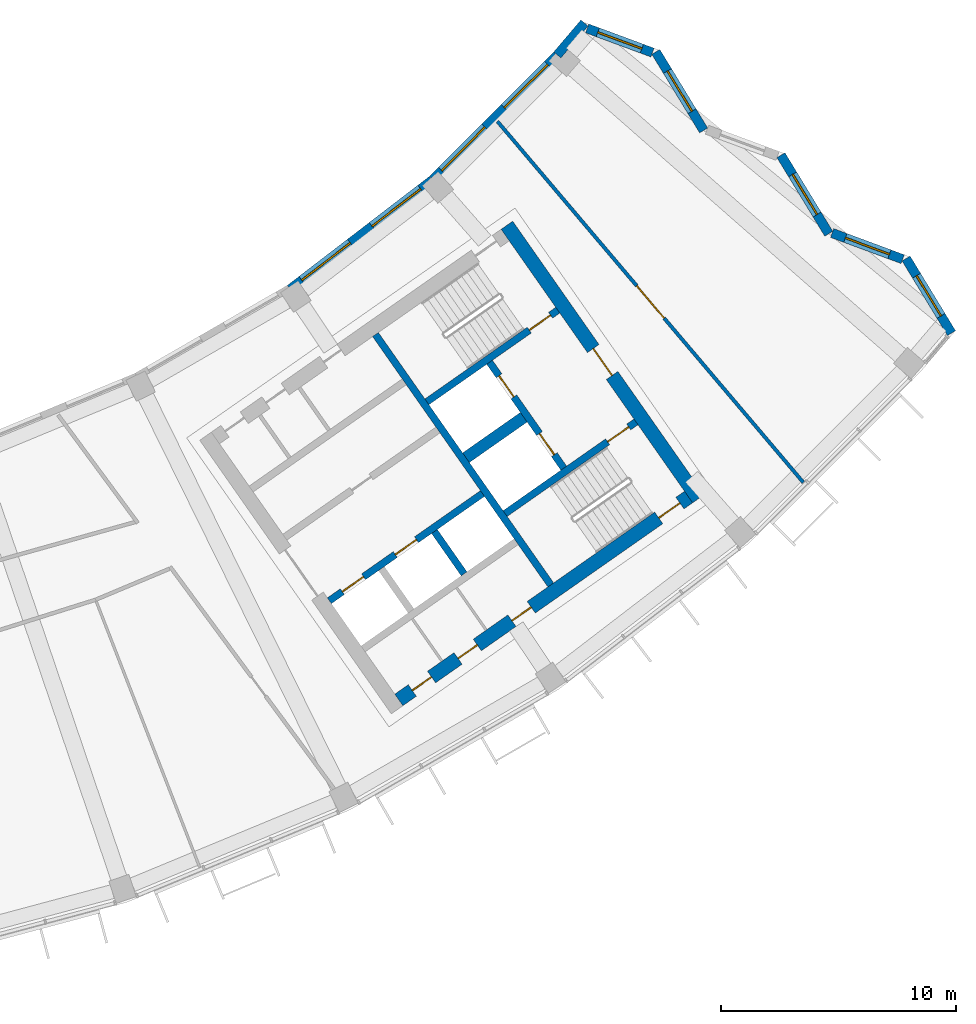
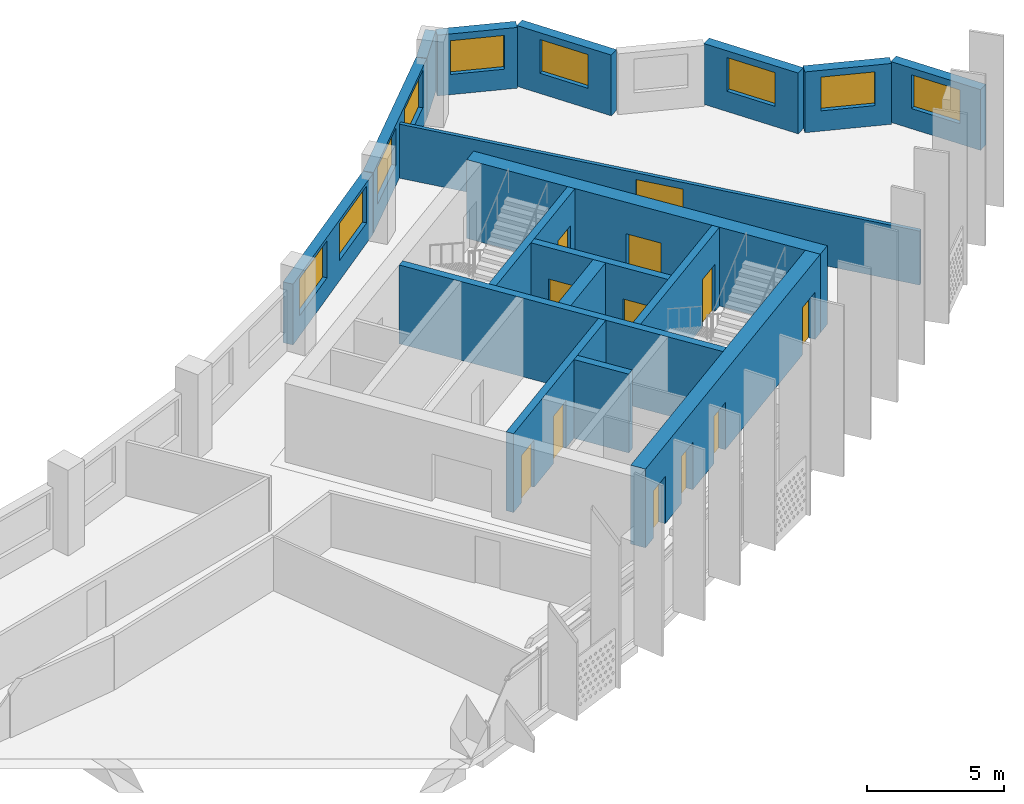
# One storey, part 7 of 28: 18 walls, 12 doors, 9 windows, 21 openings.
"""IFC4 building model written with IfcOpenShell, lengths in metres."""

import ifcopenshell
import ifcopenshell.guid

model = None  # the IFC model being written
_history = None  # IfcOwnerHistory: only IFC2X3 demands one
_inside = {}  # id of a spatial element -> (the spatial element, [elements in it])
_under = {}  # id of a project, library or spatial element -> (it, [spatial elements below it])
_declared = {}  # id of a project -> (the project, [libraries it declares])
_typed = {}  # id of a type object -> (the type object, [elements of that type])
_made_of = {}  # id of a material, layer set ... -> (it, [elements and type objects made of it])


def new_model(schema):
    """Start an empty IFC model of exactly this schema.

    Asked for "IFC4X3", IfcOpenShell would pick the latest addendum, in which some entities
    have other attributes; the version numbers below select the first issue.
    IFC2X3 requires an IfcOwnerHistory on every rooted entity: one is made here for all.
    """
    global model, _history
    if schema == "IFC4X3":
        model = ifcopenshell.file(schema_version=(4, 3, 0, 0))
    else:
        model = ifcopenshell.file(schema=schema)
    _inside.clear()
    _under.clear()
    _declared.clear()
    _typed.clear()
    _made_of.clear()
    _history = None
    if model.schema == "IFC2X3":
        org = make("IfcOrganization", Name="unknown")
        user = make(
            "IfcPersonAndOrganization",
            ThePerson=make("IfcPerson", FamilyName="unknown"),
            TheOrganization=org,
        )
        app = make(
            "IfcApplication",
            ApplicationDeveloper=org,
            Version="unknown",
            ApplicationFullName="unknown",
            ApplicationIdentifier="unknown",
        )
        _history = make(
            "IfcOwnerHistory",
            OwningUser=user,
            OwningApplication=app,
            ChangeAction="ADDED",
            CreationDate=0,
        )
    return model


def make(cls, **values):
    """One entity of the class cls with the attributes given. An attribute that is None is left unset."""
    return model.create_entity(
        cls, **{name: value for name, value in values.items() if value is not None}
    )


def rooted(cls, **values):
    """An entity with a GlobalId (a new one), such as an element, a storey or a relation."""
    return make(cls, GlobalId=ifcopenshell.guid.new(), OwnerHistory=_history, **values)


def si_unit(unit_type, name, prefix=None):
    """IfcSIUnit, for example si_unit("LENGTHUNIT", "METRE", prefix="MILLI")."""
    return make("IfcSIUnit", UnitType=unit_type, Prefix=prefix, Name=name)


def assignment(units):
    """IfcUnitAssignment: the units of a project."""
    return None if units is None else make("IfcUnitAssignment", Units=units)


def point(xyz):
    """IfcCartesianPoint."""
    return None if xyz is None else make("IfcCartesianPoint", Coordinates=xyz)


def direction(xyz):
    """IfcDirection."""
    return None if xyz is None else make("IfcDirection", DirectionRatios=xyz)


def frame(location, z_axis=None, x_axis=None):
    """IfcAxis2Placement3D, a coordinate frame: its origin and axes. An axis left out is left unset."""
    return make(
        "IfcAxis2Placement3D",
        Location=point(location),
        Axis=direction(z_axis),
        RefDirection=direction(x_axis),
    )


def frame_2d(location, x_axis=None):
    """IfcAxis2Placement2D, a coordinate frame in the plane: its origin and x axis."""
    return make(
        "IfcAxis2Placement2D", Location=point(location), RefDirection=direction(x_axis)
    )


def origin():
    """The frame at (0, 0, 0) with its axes left unset."""
    return frame((0.0, 0.0, 0.0))


def place(relative_to, where):
    """IfcLocalPlacement: puts the frame where relative to a parent placement (None: the world)."""
    return make(
        "IfcLocalPlacement", PlacementRelTo=relative_to, RelativePlacement=where
    )


def context(
    kind, dimensions, precision=None, world=None, true_north=None, identifier=None
):
    """IfcGeometricRepresentationContext, for example the 3D "Model" context."""
    return make(
        "IfcGeometricRepresentationContext",
        ContextIdentifier=identifier,
        ContextType=kind,
        CoordinateSpaceDimension=dimensions,
        Precision=precision,
        WorldCoordinateSystem=world,
        TrueNorth=true_north,
    )


def subcontext(parent, identifier, kind, view, scale=None):
    """IfcGeometricRepresentationSubContext, for example "Body" below "Model"."""
    return make(
        "IfcGeometricRepresentationSubContext",
        ContextIdentifier=identifier,
        ContextType=kind,
        ParentContext=parent,
        TargetScale=scale,
        TargetView=view,
    )


def project(units=None, contexts=None):
    """IfcProject with its units and contexts."""
    return rooted(
        "IfcProject",
        Name="project",
        RepresentationContexts=contexts,
        UnitsInContext=assignment(units),
    )


def spatial(cls, under=None, at=None, **own):
    """A site, building, storey or space (cls), placed at a placement, below another one or the project."""
    s = rooted(cls, ObjectPlacement=at, **own)
    if under is not None:
        _under.setdefault(under.id(), (under, []))[1].append(s)
    return s


def profile(cls, at=None, kind="AREA", **sizes):
    """A parametric profile (cls). Its sizes go by their IFC names, for example OverallWidth=200.0."""
    return make(cls, ProfileType=kind, Position=at, **sizes)


def rectangle(**sizes):
    """IfcRectangleProfileDef."""
    return profile("IfcRectangleProfileDef", **sizes)


def extrude(swept, where, along, depth):
    """IfcExtrudedAreaSolid: the profile swept, set in the frame where, extruded along a direction by depth."""
    return make(
        "IfcExtrudedAreaSolid",
        SweptArea=swept,
        Position=where,
        ExtrudedDirection=direction(along),
        Depth=depth,
    )


def shape(context_of_items, identifier, shape_type, items):
    """IfcShapeRepresentation: the items that make up one representation, for example the "Body"."""
    return make(
        "IfcShapeRepresentation",
        ContextOfItems=context_of_items,
        RepresentationIdentifier=identifier,
        RepresentationType=shape_type,
        Items=items,
    )


def material(Name=None, Category=None):
    """IfcMaterial."""
    return make("IfcMaterial", Name=Name, Category=Category)


def layer(
    of_material, thickness, ventilated=None, Name=None, Category=None, Priority=None
):
    """IfcMaterialLayer: one layer of a wall or slab, of a material (None: an air gap)."""
    return make(
        "IfcMaterialLayer",
        Material=of_material,
        LayerThickness=thickness,
        IsVentilated=ventilated,
        Name=Name,
        Category=Category,
        Priority=Priority,
    )


def layer_set(layers, Name=None):
    """IfcMaterialLayerSet."""
    return make("IfcMaterialLayerSet", MaterialLayers=layers, LayerSetName=Name)


def made_of(thing, what):
    """Note that an element or type object is made of a material, layer set ...; save() writes the relation."""
    if what is not None:
        _made_of.setdefault(what.id(), (what, []))[1].append(thing)
    return thing


def type_object(cls, material=None, **own):
    """A type object (cls), such as IfcWallType, which elements share."""
    return made_of(rooted(cls, **own), material)


def element(
    cls,
    number,
    at=None,
    inside=None,
    cuts=None,
    type_object=None,
    material=None,
    context=None,
    identifier="Body",
    shape_type=None,
    held_by="IfcProductDefinitionShape",
    body=None,
    shapes=None,
    **own,
):
    """One element of the class cls, such as IfcWall. Its Tag is "e" and its number.

    at: its placement. inside: the storey or other place that contains it. cuts: it is an
    opening in that element (IfcRelVoidsElement). A single representation is given by context,
    identifier, shape_type and body (its items); several are given by shapes. held_by: the class
    of the entity that holds the representations. save() writes the other relations.
    """
    e = rooted(cls, Tag="e%d" % number, ObjectPlacement=at, **own)
    if body is not None:
        shapes = [shape(context, identifier, shape_type, body)]
    if shapes is not None:
        e.Representation = make(held_by, Representations=shapes)
    if inside is not None:
        _inside.setdefault(inside.id(), (inside, []))[1].append(e)
    if cuts is not None:
        rooted(
            "IfcRelVoidsElement", RelatingBuildingElement=cuts, RelatedOpeningElement=e
        )
    if type_object is not None:
        _typed.setdefault(type_object.id(), (type_object, []))[1].append(e)
    return made_of(e, material)


def fill(opening, filler):
    """IfcRelFillsElement: the door or window that sits in an opening."""
    return rooted(
        "IfcRelFillsElement",
        RelatingOpeningElement=opening,
        RelatedBuildingElement=filler,
    )


def aggregate(whole, parts):
    """IfcRelAggregates: a whole, such as a stair, and the parts it consists of."""
    return rooted("IfcRelAggregates", RelatingObject=whole, RelatedObjects=parts)


def save(model, path):
    """Write the relations noted so far, then the file.

    IfcRelAggregates (storeys below a building ...), IfcRelContainedInSpatialStructure (elements
    in a storey), IfcRelDefinesByType, IfcRelAssociatesMaterial and IfcRelDeclares: one each for
    every whole, place, type object, material and project.
    """
    for whole, parts in _under.values():
        aggregate(whole, parts)
    for where, things in _inside.values():
        rooted(
            "IfcRelContainedInSpatialStructure",
            RelatedElements=things,
            RelatingStructure=where,
        )
    for kind, things in _typed.values():
        rooted("IfcRelDefinesByType", RelatedObjects=things, RelatingType=kind)
    for what, things in _made_of.values():
        rooted("IfcRelAssociatesMaterial", RelatedObjects=things, RelatingMaterial=what)
    for by, libraries in _declared.values():
        rooted("IfcRelDeclares", RelatingContext=by, RelatedDefinitions=libraries)
    model.write(path)


model = new_model("IFC4")

# Units and contexts
model_context = context("Model", 3, precision=1e-05, world=origin(), true_north=direction((0.0, 1.0)))
body_context = subcontext(model_context, "Body", "Model", "MODEL_VIEW")
ifc_project = project(units=[si_unit("LENGTHUNIT", "METRE"), si_unit("AREAUNIT", "SQUARE_METRE"), si_unit("VOLUMEUNIT", "CUBIC_METRE"), si_unit("PLANEANGLEUNIT", "RADIAN"), si_unit("MASSUNIT", "GRAM", prefix="KILO")], contexts=[model_context])

# Site, building, storey
site_placement = place(None, origin())
site = spatial("IfcSite", under=ifc_project, at=site_placement, CompositionType="ELEMENT")
building_placement = place(site_placement, origin())
building = spatial("IfcBuilding", under=site, at=building_placement, Name="Qamariyya Broadcast Tower", CompositionType="ELEMENT")
storey_placement = place(building_placement, frame((0.0, 0.0, 273.300048828125)))
storey = spatial("IfcBuildingStorey", under=building, at=storey_placement, Name="L66", CompositionType="ELEMENT", Elevation=273.300048828125)

# Wall, opening, door
ifc_material_1 = material(Name="Concrete C60/75", Category="concrete")
ifc_layer_1 = layer(ifc_material_1, 0.60009765625)
ifc_layer_set_1 = layer_set([ifc_layer_1], Name="Core wall 600 mm Concrete C60/75")
wall_type_1 = type_object("IfcWallType", Name="Core wall 600 mm Concrete C60/75", PredefinedType="SHEAR", material=ifc_layer_set_1)
wall_1_placement = place(storey_placement, frame((49.4833984375, -57.031494140625, 0.0), z_axis=(0.0, 0.0, 1.0), x_axis=(-0.573560421458, 0.819163257805, 0.0)))
wall_1 = element("IfcWall", 1, at=wall_1_placement, inside=storey, type_object=wall_type_1, Name="k-E-L66-WH", PredefinedType="SHEAR", context=body_context, shape_type="SweptSolid", body=[
    extrude(rectangle(XDim=14.199951171875, YDim=0.60009765625, at=frame_2d((7.10009765625, 0.0))), origin(), (0.0, 0.0, 1.0), 3.5),
])
opening_1_placement = place(wall_1_placement, frame((6.39990234375, 0.0, 0.0)))
opening_1 = element("IfcOpeningElement", 2, at=opening_1_placement, cuts=wall_1, Name="Opening KD2-E1", PredefinedType="OPENING", context=body_context, shape_type="SweptSolid", body=[
    extrude(rectangle(XDim=1.39990234375, YDim=2.10009765625, at=frame_2d((0.699951171875, 1.050048828125))), frame((0.0, 0.31005859375, 0.0), z_axis=(0.0, -1.0, 0.0), x_axis=(1.0, 0.0, 0.0)), (0.0, 0.0, 1.0), 0.6201171875),
])
ifc_material_2 = material(Name="Steel fire-resisting door leaf", Category="steel")
door_type_1 = type_object("IfcDoorType", Name="Fire-fighting lobby door KD2", OperationType="DOUBLE_DOOR_SINGLE_SWING", PredefinedType="DOOR", material=ifc_material_2)
door_1_placement = place(opening_1_placement, origin())
door_1 = element("IfcDoor", 3, at=door_1_placement, inside=storey, type_object=door_type_1, Name="k-E-L66-WH-D13", OperationType="DOUBLE_DOOR_SINGLE_SWING", OverallHeight=2.10009765625, OverallWidth=1.39990234375, PredefinedType="DOOR", context=body_context, shape_type="SweptSolid", body=[
    extrude(rectangle(XDim=1.39990234375, YDim=2.10009765625, at=frame_2d((0.699951171875, 1.050048828125))), frame((0.0, 0.02490234375, 0.0), z_axis=(0.0, -1.0, 0.0), x_axis=(1.0, 0.0, 0.0)), (0.0, 0.0, 1.0), 0.050048828125),
])
fill(opening_1, door_1)

# Wall, openings, doors
wall_2_placement = place(storey_placement, frame((36.7412109375, -65.58740234375, 0.0), z_axis=(0.0, 0.0, 1.0), x_axis=(0.819153391756, 0.573574511963, 0.0)))
wall_2 = element("IfcWall", 4, at=wall_2_placement, inside=storey, type_object=wall_type_1, Name="k-E-L66-WO", PredefinedType="SHEAR", context=body_context, shape_type="SweptSolid", body=[
    extrude(rectangle(XDim=15.04541015625, YDim=0.60009765625, at=frame_2d((7.522705078125, 0.0))), origin(), (0.0, 0.0, 1.0), 3.5),
])
opening_2_placement = place(wall_2_placement, frame((0.699951171875, 0.0, 0.0)))
opening_2 = element("IfcOpeningElement", 5, at=opening_2_placement, cuts=wall_2, Name="Opening KD6-E3", PredefinedType="OPENING", context=body_context, shape_type="SweptSolid", body=[
    extrude(rectangle(XDim=1.0, YDim=2.10009765625, at=frame_2d((0.5, 1.050048828125))), frame((0.0, 0.31005859375, 0.0), z_axis=(0.0, -1.0, 0.0), x_axis=(1.0, 0.0, 0.0)), (0.0, 0.0, 1.0), 0.6201171875),
])
opening_3_placement = place(wall_2_placement, frame((3.074951171875, 0.0, 0.0)))
opening_3 = element("IfcOpeningElement", 6, at=opening_3_placement, cuts=wall_2, Name="Opening KD4-E1", PredefinedType="OPENING", context=body_context, shape_type="SweptSolid", body=[
    extrude(rectangle(XDim=1.0, YDim=2.10009765625, at=frame_2d((0.5, 1.050048828125))), frame((0.0, 0.31005859375, 0.0), z_axis=(0.0, -1.0, 0.0), x_axis=(1.0, 0.0, 0.0)), (0.0, 0.0, 1.0), 0.6201171875),
])
opening_4_placement = place(wall_2_placement, frame((5.875, 0.0, 0.0)))
opening_4 = element("IfcOpeningElement", 7, at=opening_4_placement, cuts=wall_2, Name="Opening KD4-E2", PredefinedType="OPENING", context=body_context, shape_type="SweptSolid", body=[
    extrude(rectangle(XDim=1.0, YDim=2.10009765625, at=frame_2d((0.5, 1.050048828125))), frame((0.0, 0.31005859375, 0.0), z_axis=(0.0, -1.0, 0.0), x_axis=(1.0, 0.0, 0.0)), (0.0, 0.0, 1.0), 0.6201171875),
])
opening_5_placement = place(wall_2_placement, frame((13.495361328125, 0.0, 0.0)))
opening_5 = element("IfcOpeningElement", 8, at=opening_5_placement, cuts=wall_2, Name="Opening KD1-E3", PredefinedType="OPENING", context=body_context, shape_type="SweptSolid", body=[
    extrude(rectangle(XDim=1.10009765625, YDim=2.10009765625, at=frame_2d((0.550048828125, 1.050048828125))), frame((0.0, 0.31005859375, 0.0), z_axis=(0.0, -1.0, 0.0), x_axis=(1.0, 0.0, 0.0)), (0.0, 0.0, 1.0), 0.6201171875),
])
door_type_2 = type_object("IfcDoorType", Name="Core room door KD6", OperationType="SINGLE_SWING_LEFT", PredefinedType="DOOR", material=ifc_material_2)
door_2_placement = place(opening_2_placement, origin())
door_2 = element("IfcDoor", 9, at=door_2_placement, inside=storey, type_object=door_type_2, Name="k-E-L66-WO-D8", OperationType="SINGLE_SWING_RIGHT", OverallHeight=2.10009765625, OverallWidth=1.0, PredefinedType="DOOR", context=body_context, shape_type="SweptSolid", body=[
    extrude(rectangle(XDim=1.0, YDim=2.10009765625, at=frame_2d((0.5, 1.050048828125))), frame((0.0, 0.02490234375, 0.0), z_axis=(0.0, -1.0, 0.0), x_axis=(1.0, 0.0, 0.0)), (0.0, 0.0, 1.0), 0.050048828125),
])
fill(opening_2, door_2)
door_type_3 = type_object("IfcDoorType", Name="Riser and plant door KD4", OperationType="SINGLE_SWING_LEFT", PredefinedType="DOOR", material=ifc_material_2)
door_3_placement = place(opening_3_placement, origin())
door_3 = element("IfcDoor", 10, at=door_3_placement, inside=storey, type_object=door_type_3, Name="k-E-L66-WO-D9", OperationType="SINGLE_SWING_LEFT", OverallHeight=2.10009765625, OverallWidth=1.0, PredefinedType="DOOR", context=body_context, shape_type="SweptSolid", body=[
    extrude(rectangle(XDim=1.0, YDim=2.10009765625, at=frame_2d((0.5, 1.050048828125))), frame((0.0, 0.02490234375, 0.0), z_axis=(0.0, -1.0, 0.0), x_axis=(1.0, 0.0, 0.0)), (0.0, 0.0, 1.0), 0.050048828125),
])
fill(opening_3, door_3)
door_4_placement = place(opening_4_placement, origin())
door_4 = element("IfcDoor", 11, at=door_4_placement, inside=storey, type_object=door_type_3, Name="k-E-L66-WO-D10", OperationType="SINGLE_SWING_RIGHT", OverallHeight=2.10009765625, OverallWidth=1.0, PredefinedType="DOOR", context=body_context, shape_type="SweptSolid", body=[
    extrude(rectangle(XDim=1.0, YDim=2.10009765625, at=frame_2d((0.5, 1.050048828125))), frame((0.0, 0.02490234375, 0.0), z_axis=(0.0, -1.0, 0.0), x_axis=(1.0, 0.0, 0.0)), (0.0, 0.0, 1.0), 0.050048828125),
])
fill(opening_4, door_4)
door_type_4 = type_object("IfcDoorType", Name="Stair door KD1", OperationType="SINGLE_SWING_LEFT", PredefinedType="DOOR", material=ifc_material_2)
door_5_placement = place(opening_5_placement, origin())
door_5 = element("IfcDoor", 12, at=door_5_placement, inside=storey, type_object=door_type_4, Name="k-E-L66-WO-D16", OperationType="SINGLE_SWING_LEFT", OverallHeight=2.10009765625, OverallWidth=1.10009765625, PredefinedType="DOOR", context=body_context, shape_type="SweptSolid", body=[
    extrude(rectangle(XDim=1.10009765625, YDim=2.10009765625, at=frame_2d((0.550048828125, 1.050048828125))), frame((0.0, 0.02490234375, 0.0), z_axis=(0.0, -1.0, 0.0), x_axis=(1.0, 0.0, 0.0)), (0.0, 0.0, 1.0), 0.050048828125),
])
fill(opening_5, door_5)

# Wall, opening, door
ifc_material_3 = material(Name="Gypsum board partition")
ifc_layer_2 = layer(ifc_material_3, 0.14990234375)
ifc_layer_set_2 = layer_set([ifc_layer_2], Name="Corridor partition 150 EI 60")
wall_type_2 = type_object("IfcWallType", Name="Corridor partition 150 EI 60", PredefinedType="PARTITIONING", material=ifc_layer_set_2)
wall_3_placement = place(storey_placement, frame((40.93603515625, -40.982666015625, 0.0), z_axis=(0.0, 0.0, 1.0), x_axis=(0.646426079671, -0.76297662056, 0.0)))
wall_3 = element("IfcWall", 13, at=wall_3_placement, inside=storey, type_object=wall_type_2, Name="Partition L66-029", PredefinedType="PARTITIONING", context=body_context, shape_type="SweptSolid", body=[
    extrude(rectangle(XDim=20.1259765625, YDim=0.14990234375, at=frame_2d((10.06298828125, 0.0))), origin(), (0.0, 0.0, 1.0), 2.39990234375),
])
opening_6_placement = place(wall_3_placement, frame((9.1630859375, 0.0, 0.0)))
opening_6 = element("IfcOpeningElement", 14, at=opening_6_placement, cuts=wall_3, Name="Opening L66-D14", PredefinedType="OPENING", context=body_context, shape_type="SweptSolid", body=[
    extrude(rectangle(XDim=1.800048828125, YDim=2.10009765625, at=frame_2d((0.89990234375, 1.050048828125))), frame((0.0, 0.0849609375, 0.0), z_axis=(0.0, -1.0, 0.0), x_axis=(1.0, 0.0, 0.0)), (0.0, 0.0, 1.0), 0.169921875),
])
ifc_material_4 = material(Name="Timber fire door leaf", Category="wood")
door_type_5 = type_object("IfcDoorType", Name="Double fire door 1800 x 2100 FD60", OperationType="NOTDEFINED", PredefinedType="DOOR", material=ifc_material_4)
door_6_placement = place(opening_6_placement, origin())
door_6 = element("IfcDoor", 15, at=door_6_placement, inside=storey, type_object=door_type_5, Name="Door L66-D14", OperationType="DOUBLE_DOOR_SINGLE_SWING", OverallHeight=2.10009765625, OverallWidth=1.800048828125, PredefinedType="DOOR", context=body_context, shape_type="SweptSolid", body=[
    extrude(rectangle(XDim=1.800048828125, YDim=2.10009765625, at=frame_2d((0.89990234375, 1.050048828125))), frame((0.0, 0.02490234375, 0.0), z_axis=(0.0, -1.0, 0.0), x_axis=(1.0, 0.0, 0.0)), (0.0, 0.0, 1.0), 0.050048828125),
])
fill(opening_6, door_6)

# Walls
ifc_layer_3 = layer(ifc_material_1, 0.5)
ifc_layer_set_3 = layer_set([ifc_layer_3], Name="Fire-fighting lobby divider wall 500 mm Concrete C60/75")
wall_type_3 = type_object("IfcWallType", Name="Fire-fighting lobby divider wall 500 mm Concrete C60/75", PredefinedType="SOLIDWALL", material=ifc_layer_set_3)
wall_4_placement = place(storey_placement, frame((39.59912109375, -55.28515625, 0.0), z_axis=(0.0, 0.0, 1.0), x_axis=(0.819136323161, 0.573598887793, 0.0)))
element("IfcWall", 16, at=wall_4_placement, inside=storey, type_object=wall_type_3, Name="k-E-L66-FD", PredefinedType="SOLIDWALL", context=body_context, shape_type="SweptSolid", body=[
    extrude(rectangle(XDim=2.999755859375, YDim=0.5, at=frame_2d((1.5, 0.0))), origin(), (0.0, 0.0, 1.0), 3.5),
])
ifc_layer_4 = layer(ifc_material_1, 0.300048828125)
ifc_layer_set_4 = layer_set([ifc_layer_4], Name="Lift shaft wall 300 mm Concrete C60/75")
wall_type_4 = type_object("IfcWallType", Name="Lift shaft wall 300 mm Concrete C60/75", PredefinedType="SOLIDWALL", material=ifc_layer_set_4)
wall_5_placement = place(storey_placement, frame((43.204345703125, -60.69580078125, 0.0), z_axis=(0.0, 0.0, 1.0), x_axis=(-0.573571992966, 0.819155155563, 0.0)))
element("IfcWall", 17, at=wall_5_placement, inside=storey, type_object=wall_type_4, Name="k-E-L66-WL", PredefinedType="SOLIDWALL", context=body_context, shape_type="SweptSolid", body=[
    extrude(rectangle(XDim=13.000244140625, YDim=0.300048828125, at=frame_2d((6.5, 0.0))), origin(), (0.0, 0.0, 1.0), 3.5),
])

# Wall, openings, doors
wall_6_placement = place(storey_placement, frame((33.787353515625, -61.368896484375, 0.0), z_axis=(0.0, 0.0, 1.0), x_axis=(0.819152564888, 0.573575692858, 0.0)))
wall_6 = element("IfcWall", 18, at=wall_6_placement, inside=storey, type_object=wall_type_4, Name="k-E-L66-SF0", PredefinedType="SOLIDWALL", context=body_context, shape_type="SweptSolid", body=[
    extrude(rectangle(XDim=7.9501953125, YDim=0.300048828125, at=frame_2d((3.97509765625, 0.0))), origin(), (0.0, 0.0, 1.0), 3.5),
])
opening_7_placement = place(wall_6_placement, frame((0.675048828125, 0.0, 0.0)))
opening_7 = element("IfcOpeningElement", 19, at=opening_7_placement, cuts=wall_6, Name="Opening LD", PredefinedType="OPENING", context=body_context, shape_type="SweptSolid", body=[
    extrude(rectangle(XDim=1.10009765625, YDim=2.10009765625, at=frame_2d((0.550048828125, 1.050048828125))), frame((0.0, 0.159912109375, 0.0), z_axis=(0.0, -1.0, 0.0), x_axis=(1.0, 0.0, 0.0)), (0.0, 0.0, 1.0), 0.320068359375),
])
opening_8_placement = place(wall_6_placement, frame((3.425048828125, 0.0, 0.0)))
opening_8 = element("IfcOpeningElement", 20, at=opening_8_placement, cuts=wall_6, Name="Opening LD", PredefinedType="OPENING", context=body_context, shape_type="SweptSolid", body=[
    extrude(rectangle(XDim=1.10009765625, YDim=2.10009765625, at=frame_2d((0.550048828125, 1.050048828125))), frame((0.0, 0.159912109375, 0.0), z_axis=(0.0, -1.0, 0.0), x_axis=(1.0, 0.0, 0.0)), (0.0, 0.0, 1.0), 0.320068359375),
])
door_type_6 = type_object("IfcDoorType", Name="Lift landing door LD", OperationType="DOUBLE_DOOR_SLIDING", PredefinedType="DOOR", material=ifc_material_2)
door_7_placement = place(opening_7_placement, origin())
door_7 = element("IfcDoor", 21, at=door_7_placement, inside=storey, type_object=door_type_6, Name="k-E-L66-SF0-D3", OperationType="DOUBLE_DOOR_SLIDING", OverallHeight=2.10009765625, OverallWidth=1.10009765625, PredefinedType="DOOR", context=body_context, shape_type="SweptSolid", body=[
    extrude(rectangle(XDim=1.10009765625, YDim=2.10009765625, at=frame_2d((0.550048828125, 1.050048828125))), frame((0.0, 0.02490234375, 0.0), z_axis=(0.0, -1.0, 0.0), x_axis=(1.0, 0.0, 0.0)), (0.0, 0.0, 1.0), 0.050048828125),
])
fill(opening_7, door_7)
door_8_placement = place(opening_8_placement, origin())
door_8 = element("IfcDoor", 22, at=door_8_placement, inside=storey, type_object=door_type_6, Name="k-E-L66-SF0-D4", OperationType="DOUBLE_DOOR_SLIDING", OverallHeight=2.10009765625, OverallWidth=1.10009765625, PredefinedType="DOOR", context=body_context, shape_type="SweptSolid", body=[
    extrude(rectangle(XDim=1.10009765625, YDim=2.10009765625, at=frame_2d((0.550048828125, 1.050048828125))), frame((0.0, 0.02490234375, 0.0), z_axis=(0.0, -1.0, 0.0), x_axis=(1.0, 0.0, 0.0)), (0.0, 0.0, 1.0), 0.050048828125),
])
fill(opening_8, door_8)

# Wall
wall_7_placement = place(storey_placement, frame((38.255859375, -58.423095703125, 0.0), z_axis=(0.0, 0.0, 1.0), x_axis=(0.573633636671, -0.819111989218, 0.0)))
element("IfcWall", 23, at=wall_7_placement, inside=storey, type_object=wall_type_4, Name="k-E-L66-SD1", PredefinedType="SOLIDWALL", context=body_context, shape_type="SweptSolid", body=[
    extrude(rectangle(XDim=2.199951171875, YDim=0.300048828125, at=frame_2d((1.10009765625, 0.0))), origin(), (0.0, 0.0, 1.0), 3.5),
])

# Wall, opening, door
wall_8_placement = place(storey_placement, frame((37.935546875, -52.90966796875, 0.0), z_axis=(0.0, 0.0, 1.0), x_axis=(0.819147518138, 0.57358290031, 0.0)))
wall_8 = element("IfcWall", 24, at=wall_8_placement, inside=storey, type_object=wall_type_4, Name="k-E-L66-NW", PredefinedType="SOLIDWALL", context=body_context, shape_type="SweptSolid", body=[
    extrude(rectangle(XDim=6.79541015625, YDim=0.300048828125, at=frame_2d((3.397705078125, 0.0))), origin(), (0.0, 0.0, 1.0), 3.5),
])
opening_9_placement = place(wall_8_placement, frame((5.3203125, 0.0, 0.0)))
opening_9 = element("IfcOpeningElement", 25, at=opening_9_placement, cuts=wall_8, Name="Opening KD1-E2", PredefinedType="OPENING", context=body_context, shape_type="SweptSolid", body=[
    extrude(rectangle(XDim=1.10009765625, YDim=2.10009765625, at=frame_2d((0.550048828125, 1.050048828125))), frame((0.0, 0.159912109375, 0.0), z_axis=(0.0, -1.0, 0.0), x_axis=(1.0, 0.0, 0.0)), (0.0, 0.0, 1.0), 0.320068359375),
])
door_9_placement = place(opening_9_placement, origin())
door_9 = element("IfcDoor", 26, at=door_9_placement, inside=storey, type_object=door_type_4, Name="k-E-L66-NW-D15", OperationType="SINGLE_SWING_LEFT", OverallHeight=2.10009765625, OverallWidth=1.10009765625, PredefinedType="DOOR", context=body_context, shape_type="SweptSolid", body=[
    extrude(rectangle(XDim=1.10009765625, YDim=2.10009765625, at=frame_2d((0.550048828125, 1.050048828125))), frame((0.0, 0.02490234375, 0.0), z_axis=(0.0, -1.0, 0.0), x_axis=(1.0, 0.0, 0.0)), (0.0, 0.0, 1.0), 0.050048828125),
])
fill(opening_9, door_9)

wall_9_placement = place(storey_placement, frame((41.262451171875, -57.66064453125, 0.0), z_axis=(0.0, 0.0, 1.0), x_axis=(0.819164398642, 0.573558792102, 0.0)))
wall_9 = element("IfcWall", 27, at=wall_9_placement, inside=storey, type_object=wall_type_4, Name="k-E-L66-SW", PredefinedType="SOLIDWALL", context=body_context, shape_type="SweptSolid", body=[
    extrude(rectangle(XDim=6.795166015625, YDim=0.300048828125, at=frame_2d((3.3974609375, 0.0))), origin(), (0.0, 0.0, 1.0), 3.5),
])
opening_10_placement = place(wall_9_placement, frame((5.3203125, 0.0, 0.0)))
opening_10 = element("IfcOpeningElement", 28, at=opening_10_placement, cuts=wall_9, Name="Opening KD1-E4", PredefinedType="OPENING", context=body_context, shape_type="SweptSolid", body=[
    extrude(rectangle(XDim=1.10009765625, YDim=2.10009765625, at=frame_2d((0.550048828125, 1.050048828125))), frame((0.0, 0.159912109375, 0.0), z_axis=(0.0, -1.0, 0.0), x_axis=(1.0, 0.0, 0.0)), (0.0, 0.0, 1.0), 0.320068359375),
])
door_10_placement = place(opening_10_placement, origin())
door_10 = element("IfcDoor", 29, at=door_10_placement, inside=storey, type_object=door_type_4, Name="k-E-L66-SW-D17", OperationType="SINGLE_SWING_LEFT", OverallHeight=2.10009765625, OverallWidth=1.10009765625, PredefinedType="DOOR", context=body_context, shape_type="SweptSolid", body=[
    extrude(rectangle(XDim=1.10009765625, YDim=2.10009765625, at=frame_2d((0.550048828125, 1.050048828125))), frame((0.0, 0.02490234375, 0.0), z_axis=(0.0, -1.0, 0.0), x_axis=(1.0, 0.0, 0.0)), (0.0, 0.0, 1.0), 0.050048828125),
])
fill(opening_10, door_10)

# Wall, openings, doors
wall_10_placement = place(storey_placement, frame((43.756591796875, -55.731201171875, 0.0), z_axis=(0.0, 0.0, 1.0), x_axis=(-0.573536818435, 0.819179783625, 0.0)))
wall_10 = element("IfcWall", 30, at=wall_10_placement, inside=storey, type_object=wall_type_4, Name="k-E-L66-FF", PredefinedType="SOLIDWALL", context=body_context, shape_type="SweptSolid", body=[
    extrude(rectangle(XDim=5.500244140625, YDim=0.300048828125, at=frame_2d((2.75, 0.0))), origin(), (0.0, 0.0, 1.0), 3.5),
])
opening_11_placement = place(wall_10_placement, frame((0.699951171875, 0.0, 0.0)))
opening_11 = element("IfcOpeningElement", 31, at=opening_11_placement, cuts=wall_10, Name="Opening LD", PredefinedType="OPENING", context=body_context, shape_type="SweptSolid", body=[
    extrude(rectangle(XDim=1.10009765625, YDim=2.10009765625, at=frame_2d((0.550048828125, 1.050048828125))), frame((0.0, 0.159912109375, 0.0), z_axis=(0.0, -1.0, 0.0), x_axis=(1.0, 0.0, 0.0)), (0.0, 0.0, 1.0), 0.320068359375),
])
opening_12_placement = place(wall_10_placement, frame((3.699951171875, 0.0, 0.0)))
opening_12 = element("IfcOpeningElement", 32, at=opening_12_placement, cuts=wall_10, Name="Opening LD", PredefinedType="OPENING", context=body_context, shape_type="SweptSolid", body=[
    extrude(rectangle(XDim=1.10009765625, YDim=2.10009765625, at=frame_2d((0.550048828125, 1.050048828125))), frame((0.0, 0.159912109375, 0.0), z_axis=(0.0, -1.0, 0.0), x_axis=(1.0, 0.0, 0.0)), (0.0, 0.0, 1.0), 0.320068359375),
])
door_11_placement = place(opening_11_placement, origin())
door_11 = element("IfcDoor", 33, at=door_11_placement, inside=storey, type_object=door_type_6, Name="k-E-L66-FF-D11", OperationType="DOUBLE_DOOR_SLIDING", OverallHeight=2.10009765625, OverallWidth=1.10009765625, PredefinedType="DOOR", context=body_context, shape_type="SweptSolid", body=[
    extrude(rectangle(XDim=1.10009765625, YDim=2.10009765625, at=frame_2d((0.550048828125, 1.050048828125))), frame((0.0, 0.02490234375, 0.0), z_axis=(0.0, -1.0, 0.0), x_axis=(1.0, 0.0, 0.0)), (0.0, 0.0, 1.0), 0.050048828125),
])
fill(opening_11, door_11)
door_12_placement = place(opening_12_placement, origin())
door_12 = element("IfcDoor", 34, at=door_12_placement, inside=storey, type_object=door_type_6, Name="k-E-L66-FF-D12", OperationType="DOUBLE_DOOR_SLIDING", OverallHeight=2.10009765625, OverallWidth=1.10009765625, PredefinedType="DOOR", context=body_context, shape_type="SweptSolid", body=[
    extrude(rectangle(XDim=1.10009765625, YDim=2.10009765625, at=frame_2d((0.550048828125, 1.050048828125))), frame((0.0, 0.02490234375, 0.0), z_axis=(0.0, -1.0, 0.0), x_axis=(1.0, 0.0, 0.0)), (0.0, 0.0, 1.0), 0.050048828125),
])
fill(opening_12, door_12)

# Wall, opening, window
ifc_material_5 = material(Name="Terracotta", Category="masonry")
ifc_layer_5 = layer(ifc_material_5, 0.39990234375)
ifc_layer_set_5 = layer_set([ifc_layer_5], Name="Terracotta clad wall 400")
wall_type_5 = type_object("IfcWallType", Name="Terracotta clad wall 400", PredefinedType="SOLIDWALL", material=ifc_layer_set_5)
wall_11_placement = place(storey_placement, frame((60.247314453125, -49.987548828125, 0.0), z_axis=(0.0, 0.0, 1.0), x_axis=(-0.519913608832, 0.854218847457, 0.0)))
wall_11 = element("IfcWall", 35, at=wall_11_placement, inside=storey, type_object=wall_type_5, Name="e-wl-L66-capE0", PredefinedType="SOLIDWALL", context=body_context, shape_type="SweptSolid", body=[
    extrude(rectangle(XDim=3.71728515625, YDim=0.39990234375, at=frame_2d((1.858642578125, 0.0))), origin(), (0.0, 0.0, 1.0), 2.699951171875),
])
opening_13_placement = place(wall_11_placement, frame((0.858642578125, 0.0, 0.89990234375)))
opening_13 = element("IfcOpeningElement", 36, at=opening_13_placement, cuts=wall_11, Name="Opening W4", PredefinedType="OPENING", context=body_context, shape_type="SweptSolid", body=[
    extrude(rectangle(XDim=2.0, YDim=1.5, at=frame_2d((1.0, 0.75))), frame((0.0, 0.2099609375, 0.0), z_axis=(0.0, -1.0, 0.0), x_axis=(1.0, 0.0, 0.0)), (0.0, 0.0, 1.0), 0.419921875),
])
ifc_material_6 = material(Name="Clear low-e double glazed unit in aluminium frame", Category="aluminium")
window_type_1 = type_object("IfcWindowType", Name="Horn bay window 2000 x 1500", PartitioningType="SINGLE_PANEL", PredefinedType="WINDOW", material=ifc_material_6)
window_1_placement = place(opening_13_placement, origin())
window_1 = element("IfcWindow", 37, at=window_1_placement, inside=storey, type_object=window_type_1, Name="e-w-L66-capE0", OverallHeight=1.5, OverallWidth=2.0, PartitioningType="SINGLE_PANEL", PredefinedType="WINDOW", context=body_context, shape_type="SweptSolid", body=[
    extrude(rectangle(XDim=2.0, YDim=1.5, at=frame_2d((1.0, 0.75))), frame((0.0, 0.030029296875, 0.0), z_axis=(0.0, -1.0, 0.0), x_axis=(1.0, 0.0, 0.0)), (0.0, 0.0, 1.0), 0.06005859375),
])
fill(opening_13, window_1)

wall_12_placement = place(storey_placement, frame((58.171630859375, -46.842041015625, 0.0), z_axis=(0.0, 0.0, 1.0), x_axis=(-0.937788327383, 0.347207507153, 0.0)))
wall_12 = element("IfcWall", 38, at=wall_12_placement, inside=storey, type_object=wall_type_5, Name="e-wl-L66-capE1", PredefinedType="SOLIDWALL", context=body_context, shape_type="SweptSolid", body=[
    extrude(rectangle(XDim=3.199951171875, YDim=0.39990234375, at=frame_2d((1.60009765625, 0.0))), origin(), (0.0, 0.0, 1.0), 2.699951171875),
])
opening_14_placement = place(wall_12_placement, frame((0.60009765625, 0.0, 0.89990234375)))
opening_14 = element("IfcOpeningElement", 39, at=opening_14_placement, cuts=wall_12, Name="Opening W4", PredefinedType="OPENING", context=body_context, shape_type="SweptSolid", body=[
    extrude(rectangle(XDim=2.0, YDim=1.5, at=frame_2d((1.0, 0.75))), frame((0.0, 0.2099609375, 0.0), z_axis=(0.0, -1.0, 0.0), x_axis=(1.0, 0.0, 0.0)), (0.0, 0.0, 1.0), 0.419921875),
])
window_2_placement = place(opening_14_placement, origin())
window_2 = element("IfcWindow", 40, at=window_2_placement, inside=storey, type_object=window_type_1, Name="e-w-L66-capE1", OverallHeight=1.5, OverallWidth=2.0, PartitioningType="SINGLE_PANEL", PredefinedType="WINDOW", context=body_context, shape_type="SweptSolid", body=[
    extrude(rectangle(XDim=2.0, YDim=1.5, at=frame_2d((1.0, 0.75))), frame((0.0, 0.030029296875, 0.0), z_axis=(0.0, -1.0, 0.0), x_axis=(1.0, 0.0, 0.0)), (0.0, 0.0, 1.0), 0.06005859375),
])
fill(opening_14, window_2)

wall_13_placement = place(storey_placement, frame((55.027587890625, -45.7607421875, 0.0), z_axis=(0.0, 0.0, 1.0), x_axis=(-0.519972680958, 0.854182890871, 0.0)))
wall_13 = element("IfcWall", 41, at=wall_13_placement, inside=storey, type_object=wall_type_5, Name="e-wl-L66-capE2", PredefinedType="SOLIDWALL", context=body_context, shape_type="SweptSolid", body=[
    extrude(rectangle(XDim=3.91259765625, YDim=0.39990234375, at=frame_2d((1.956298828125, 0.0))), origin(), (0.0, 0.0, 1.0), 2.699951171875),
])
opening_15_placement = place(wall_13_placement, frame((0.956298828125, 0.0, 0.89990234375)))
opening_15 = element("IfcOpeningElement", 42, at=opening_15_placement, cuts=wall_13, Name="Opening W4", PredefinedType="OPENING", context=body_context, shape_type="SweptSolid", body=[
    extrude(rectangle(XDim=2.0, YDim=1.5, at=frame_2d((1.0, 0.75))), frame((0.0, 0.2099609375, 0.0), z_axis=(0.0, -1.0, 0.0), x_axis=(1.0, 0.0, 0.0)), (0.0, 0.0, 1.0), 0.419921875),
])
window_3_placement = place(opening_15_placement, origin())
window_3 = element("IfcWindow", 43, at=window_3_placement, inside=storey, type_object=window_type_1, Name="e-w-L66-capE2", OverallHeight=1.5, OverallWidth=2.0, PartitioningType="SINGLE_PANEL", PredefinedType="WINDOW", context=body_context, shape_type="SweptSolid", body=[
    extrude(rectangle(XDim=2.0, YDim=1.5, at=frame_2d((1.0, 0.75))), frame((0.0, 0.030029296875, 0.0), z_axis=(0.0, -1.0, 0.0), x_axis=(1.0, 0.0, 0.0)), (0.0, 0.0, 1.0), 0.06005859375),
])
fill(opening_15, window_3)

wall_14_placement = place(storey_placement, frame((49.706787109375, -41.36767578125, 0.0), z_axis=(0.0, 0.0, 1.0), x_axis=(-0.520071617607, 0.854122656625, 0.0)))
wall_14 = element("IfcWall", 44, at=wall_14_placement, inside=storey, type_object=wall_type_5, Name="e-wl-L66-capE4", PredefinedType="SOLIDWALL", context=body_context, shape_type="SweptSolid", body=[
    extrude(rectangle(XDim=3.91357421875, YDim=0.39990234375, at=frame_2d((1.956787109375, 0.0))), origin(), (0.0, 0.0, 1.0), 2.699951171875),
])
opening_16_placement = place(wall_14_placement, frame((0.95703125, 0.0, 0.89990234375)))
opening_16 = element("IfcOpeningElement", 45, at=opening_16_placement, cuts=wall_14, Name="Opening W4", PredefinedType="OPENING", context=body_context, shape_type="SweptSolid", body=[
    extrude(rectangle(XDim=2.0, YDim=1.5, at=frame_2d((1.0, 0.75))), frame((0.0, 0.2099609375, 0.0), z_axis=(0.0, -1.0, 0.0), x_axis=(1.0, 0.0, 0.0)), (0.0, 0.0, 1.0), 0.419921875),
])
window_4_placement = place(opening_16_placement, origin())
window_4 = element("IfcWindow", 46, at=window_4_placement, inside=storey, type_object=window_type_1, Name="e-w-L66-capE4", OverallHeight=1.5, OverallWidth=2.0, PartitioningType="SINGLE_PANEL", PredefinedType="WINDOW", context=body_context, shape_type="SweptSolid", body=[
    extrude(rectangle(XDim=2.0, YDim=1.5, at=frame_2d((1.0, 0.75))), frame((0.0, 0.030029296875, 0.0), z_axis=(0.0, -1.0, 0.0), x_axis=(1.0, 0.0, 0.0)), (0.0, 0.0, 1.0), 0.06005859375),
])
fill(opening_16, window_4)

wall_15_placement = place(storey_placement, frame((47.5283203125, -38.0546875, 0.0), z_axis=(0.0, 0.0, 1.0), x_axis=(-0.937839287764, 0.347069834942, 0.0)))
wall_15 = element("IfcWall", 47, at=wall_15_placement, inside=storey, type_object=wall_type_5, Name="e-wl-L66-capE5", PredefinedType="SOLIDWALL", context=body_context, shape_type="SweptSolid", body=[
    extrude(rectangle(XDim=2.959228515625, YDim=0.39990234375, at=frame_2d((1.4794921875, 0.0))), origin(), (0.0, 0.0, 1.0), 2.699951171875),
])
opening_17_placement = place(wall_15_placement, frame((0.479736328125, 0.0, 0.89990234375)))
opening_17 = element("IfcOpeningElement", 48, at=opening_17_placement, cuts=wall_15, Name="Opening W4", PredefinedType="OPENING", context=body_context, shape_type="SweptSolid", body=[
    extrude(rectangle(XDim=2.0, YDim=1.5, at=frame_2d((1.0, 0.75))), frame((0.0, 0.2099609375, 0.0), z_axis=(0.0, -1.0, 0.0), x_axis=(1.0, 0.0, 0.0)), (0.0, 0.0, 1.0), 0.419921875),
])
window_5_placement = place(opening_17_placement, origin())
window_5 = element("IfcWindow", 49, at=window_5_placement, inside=storey, type_object=window_type_1, Name="e-w-L66-capE5", OverallHeight=1.5, OverallWidth=2.0, PartitioningType="SINGLE_PANEL", PredefinedType="WINDOW", context=body_context, shape_type="SweptSolid", body=[
    extrude(rectangle(XDim=2.0, YDim=1.5, at=frame_2d((1.0, 0.75))), frame((0.0, 0.030029296875, 0.0), z_axis=(0.0, -1.0, 0.0), x_axis=(1.0, 0.0, 0.0)), (0.0, 0.0, 1.0), 0.06005859375),
])
fill(opening_17, window_5)

# Wall, openings, windows
wall_16_placement = place(storey_placement, frame((38.163330078125, -43.47900390625, 0.0), z_axis=(0.0, 0.0, 1.0), x_axis=(-0.793347844099, -0.608768591719, 0.0)))
wall_16 = element("IfcWall", 50, at=wall_16_placement, inside=storey, type_object=wall_type_5, Name="e-wl-L66-in120", PredefinedType="SOLIDWALL", context=body_context, shape_type="SweptSolid", body=[
    extrude(rectangle(XDim=7.617431640625, YDim=0.39990234375, at=frame_2d((3.80859375, 0.0))), origin(), (0.0, 0.0, 1.0), 2.699951171875),
])
opening_18_placement = place(wall_16_placement, frame((4.393798828125, 0.0, 0.89990234375)))
opening_18 = element("IfcOpeningElement", 51, at=opening_18_placement, cuts=wall_16, Name="Opening W1", PredefinedType="OPENING", context=body_context, shape_type="SweptSolid", body=[
    extrude(rectangle(XDim=2.60009765625, YDim=1.64990234375, at=frame_2d((1.300048828125, 0.824951171875))), frame((0.0, 0.2099609375, 0.0), z_axis=(0.0, -1.0, 0.0), x_axis=(1.0, 0.0, 0.0)), (0.0, 0.0, 1.0), 0.419921875),
])
opening_19_placement = place(wall_16_placement, frame((0.623291015625, 0.0, 0.89990234375)))
opening_19 = element("IfcOpeningElement", 52, at=opening_19_placement, cuts=wall_16, Name="Opening W1", PredefinedType="OPENING", context=body_context, shape_type="SweptSolid", body=[
    extrude(rectangle(XDim=2.60009765625, YDim=1.64990234375, at=frame_2d((1.300048828125, 0.824951171875))), frame((0.0, 0.2099609375, 0.0), z_axis=(0.0, -1.0, 0.0), x_axis=(1.0, 0.0, 0.0)), (0.0, 0.0, 1.0), 0.419921875),
])
window_type_2 = type_object("IfcWindowType", Name="Ribbon window 2600 x 1650", PartitioningType="SINGLE_PANEL", PredefinedType="WINDOW", material=ifc_material_6)
window_6_placement = place(opening_18_placement, origin())
window_6 = element("IfcWindow", 53, at=window_6_placement, inside=storey, type_object=window_type_2, Name="e-w-L66-in12-0", OverallHeight=1.64990234375, OverallWidth=2.60009765625, PartitioningType="SINGLE_PANEL", PredefinedType="WINDOW", context=body_context, shape_type="SweptSolid", body=[
    extrude(rectangle(XDim=2.60009765625, YDim=1.64990234375, at=frame_2d((1.300048828125, 0.824951171875))), frame((0.0, 0.030029296875, 0.0), z_axis=(0.0, -1.0, 0.0), x_axis=(1.0, 0.0, 0.0)), (0.0, 0.0, 1.0), 0.06005859375),
])
fill(opening_18, window_6)
window_7_placement = place(opening_19_placement, origin())
window_7 = element("IfcWindow", 54, at=window_7_placement, inside=storey, type_object=window_type_2, Name="e-w-L66-in12-1", OverallHeight=1.64990234375, OverallWidth=2.60009765625, PartitioningType="SINGLE_PANEL", PredefinedType="WINDOW", context=body_context, shape_type="SweptSolid", body=[
    extrude(rectangle(XDim=2.60009765625, YDim=1.64990234375, at=frame_2d((1.300048828125, 0.824951171875))), frame((0.0, 0.030029296875, 0.0), z_axis=(0.0, -1.0, 0.0), x_axis=(1.0, 0.0, 0.0)), (0.0, 0.0, 1.0), 0.06005859375),
])
fill(opening_19, window_7)

wall_17_placement = place(storey_placement, frame((43.46875, -38.1689453125, 0.0), z_axis=(0.0, 0.0, 1.0), x_axis=(-0.707106781187, -0.707106781187, 0.0)))
wall_17 = element("IfcWall", 55, at=wall_17_placement, inside=storey, type_object=wall_type_5, Name="e-wl-L66-in130", PredefinedType="SOLIDWALL", context=body_context, shape_type="SweptSolid", body=[
    extrude(rectangle(XDim=7.48046875, YDim=0.39990234375, at=frame_2d((3.740234375, 0.0))), origin(), (0.0, 0.0, 1.0), 2.699951171875),
])
opening_20_placement = place(wall_17_placement, frame((4.3330078125, 0.0, 0.89990234375)))
opening_20 = element("IfcOpeningElement", 56, at=opening_20_placement, cuts=wall_17, Name="Opening W1", PredefinedType="OPENING", context=body_context, shape_type="SweptSolid", body=[
    extrude(rectangle(XDim=2.60009765625, YDim=1.64990234375, at=frame_2d((1.300048828125, 0.824951171875))), frame((0.0, 0.2099609375, 0.0), z_axis=(0.0, -1.0, 0.0), x_axis=(1.0, 0.0, 0.0)), (0.0, 0.0, 1.0), 0.419921875),
])
opening_21_placement = place(wall_17_placement, frame((0.5625, 0.0, 0.89990234375)))
opening_21 = element("IfcOpeningElement", 57, at=opening_21_placement, cuts=wall_17, Name="Opening W1", PredefinedType="OPENING", context=body_context, shape_type="SweptSolid", body=[
    extrude(rectangle(XDim=2.60009765625, YDim=1.64990234375, at=frame_2d((1.300048828125, 0.824951171875))), frame((0.0, 0.2099609375, 0.0), z_axis=(0.0, -1.0, 0.0), x_axis=(1.0, 0.0, 0.0)), (0.0, 0.0, 1.0), 0.419921875),
])
window_8_placement = place(opening_20_placement, origin())
window_8 = element("IfcWindow", 58, at=window_8_placement, inside=storey, type_object=window_type_2, Name="e-w-L66-in13-0", OverallHeight=1.64990234375, OverallWidth=2.60009765625, PartitioningType="SINGLE_PANEL", PredefinedType="WINDOW", context=body_context, shape_type="SweptSolid", body=[
    extrude(rectangle(XDim=2.60009765625, YDim=1.64990234375, at=frame_2d((1.300048828125, 0.824951171875))), frame((0.0, 0.030029296875, 0.0), z_axis=(0.0, -1.0, 0.0), x_axis=(1.0, 0.0, 0.0)), (0.0, 0.0, 1.0), 0.06005859375),
])
fill(opening_20, window_8)
window_9_placement = place(opening_21_placement, origin())
window_9 = element("IfcWindow", 59, at=window_9_placement, inside=storey, type_object=window_type_2, Name="e-w-L66-in13-1", OverallHeight=1.64990234375, OverallWidth=2.60009765625, PartitioningType="SINGLE_PANEL", PredefinedType="WINDOW", context=body_context, shape_type="SweptSolid", body=[
    extrude(rectangle(XDim=2.60009765625, YDim=1.64990234375, at=frame_2d((1.300048828125, 0.824951171875))), frame((0.0, 0.030029296875, 0.0), z_axis=(0.0, -1.0, 0.0), x_axis=(1.0, 0.0, 0.0)), (0.0, 0.0, 1.0), 0.06005859375),
])
fill(opening_21, window_9)

# Wall
wall_18_placement = place(storey_placement, frame((44.63720703125, -36.799560546875, 0.0), z_axis=(0.0, 0.0, 1.0), x_axis=(-0.648037582651, -0.761608358326, 0.0)))
element("IfcWall", 60, at=wall_18_placement, inside=storey, type_object=wall_type_5, Name="e-wl-L66-in140", PredefinedType="SOLIDWALL", context=body_context, shape_type="SweptSolid", body=[
    extrude(rectangle(XDim=1.7841796875, YDim=0.39990234375, at=frame_2d((0.89208984375, 0.0))), origin(), (0.0, 0.0, 1.0), 2.699951171875),
])

save(model, "model.ifc")
